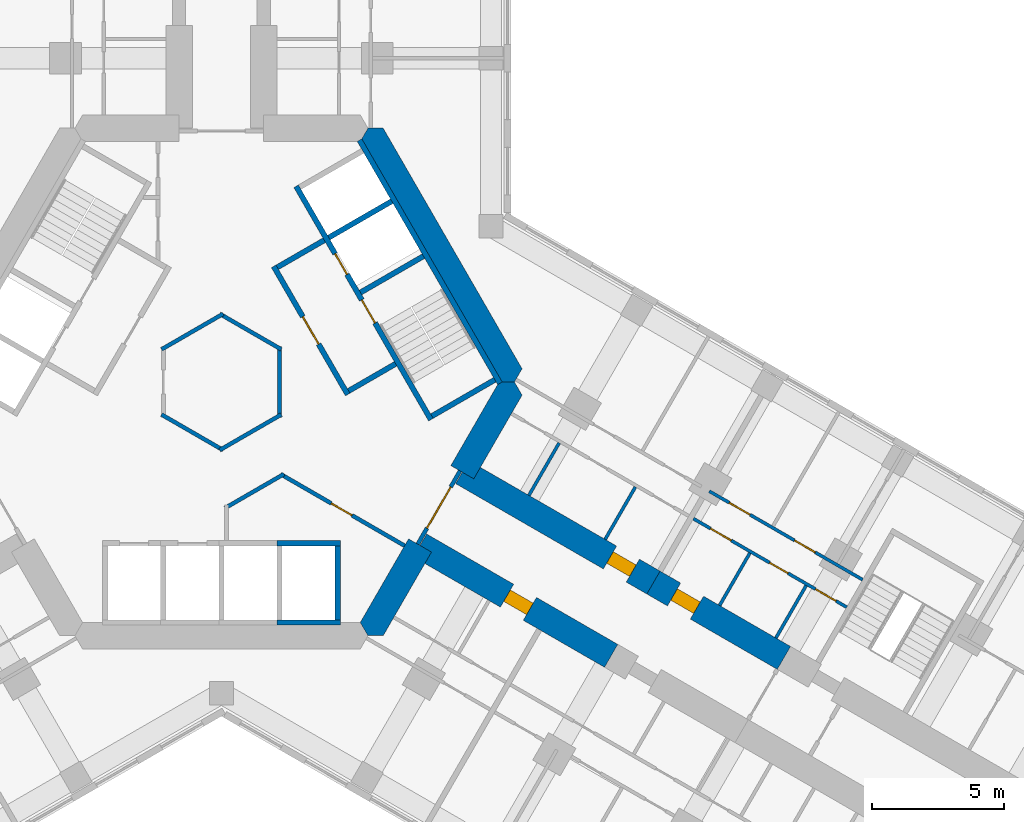
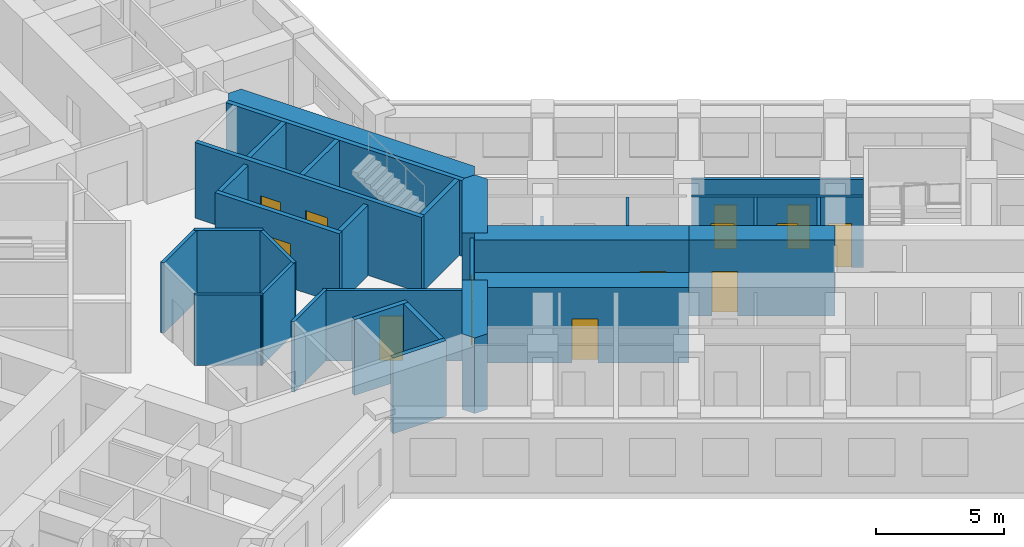
# One storey, part 15 of 21: 31 walls, 13 doors, 13 openings.
"""IFC4 building model written with IfcOpenShell, lengths in metres."""

from ifc_helpers import new_model, si_unit, direction, frame, frame_2d, origin, place, context, subcontext, project, spatial, polyline, rectangle, outline, extrude, material, layer, layer_set, type_object, element, fill, save


model = new_model("IFC4")

# Units and contexts
model_context = context("Model", 3, precision=1e-05, world=origin(), true_north=direction((0.0, 1.0)))
body_context = subcontext(model_context, "Body", "Model", "MODEL_VIEW")
ifc_project = project(units=[si_unit("LENGTHUNIT", "METRE"), si_unit("AREAUNIT", "SQUARE_METRE"), si_unit("VOLUMEUNIT", "CUBIC_METRE"), si_unit("PLANEANGLEUNIT", "RADIAN"), si_unit("MASSUNIT", "GRAM", prefix="KILO")], contexts=[model_context])

# Site, building, storey
site_placement = place(None, origin())
site = spatial("IfcSite", under=ifc_project, at=site_placement, CompositionType="ELEMENT")
building_placement = place(site_placement, origin())
building = spatial("IfcBuilding", under=site, at=building_placement, Name="Kosmar Iwan School Tower", CompositionType="ELEMENT")
storey_placement = place(building_placement, frame((0.0, 0.0, 88.0)))
storey = spatial("IfcBuildingStorey", under=building, at=storey_placement, Name="L21", CompositionType="ELEMENT", Elevation=88.0)

# Walls
ifc_material_1 = material(Name="Gypsum board on steel studs, fire-rated", Category="steel")
ifc_layer_1 = layer(ifc_material_1, 0.14990234375)
ifc_layer_set_1 = layer_set([ifc_layer_1], Name="Core room partition 150")
wall_type_1 = type_object("IfcWallType", Name="Core room partition 150", PredefinedType="PARTITIONING", material=ifc_layer_set_1)
for number, where, z_axis, x_axis, name in (
    (1, (2.264892578125, -1.232666015625, 0.0), (0.0, 0.0, 1.0), (-0.866011792348, -0.500023574959, 0.0), "Core room partition L21-CW4"),
    (2, (0.06494140625, -2.577880859375, 0.0), (0.0, 0.0, 1.0), (-0.866011792348, 0.500023574959, 0.0), "Core room partition L21-CW5"),
    (3, (-2.264892578125, 1.232666015625, 0.0), (0.0, 0.0, 1.0), (0.866011792348, 0.500023574959, 0.0), "Core room partition L21-CW7"),
    (4, (-0.06494140625, 2.577880859375, 0.0), (0.0, 0.0, 1.0), (0.866011792348, -0.500023574959, 0.0), "Core room partition L21-CW8"),
):
    element("IfcWall", number, at=place(storey_placement, frame(where, z_axis=z_axis, x_axis=x_axis)), inside=storey, type_object=wall_type_1, Name=name, PredefinedType="PARTITIONING", context=body_context, shape_type="SweptSolid", body=[
        extrude(rectangle(XDim=2.690185546875, YDim=0.14990234375, at=frame_2d((1.34521484375, 0.0))), origin(), (0.0, 0.0, 1.0), 3.35009765625),
    ])
wall_1_placement = place(storey_placement, frame((2.199951171875, 1.34521484375, 0.0), z_axis=(0.0, 0.0, 1.0), x_axis=(0.0, -1.0, 0.0)))
element("IfcWall", 5, at=wall_1_placement, inside=storey, type_object=wall_type_1, Name="Core room partition L21-CW9", PredefinedType="PARTITIONING", context=body_context, shape_type="SweptSolid", body=[
    extrude(rectangle(XDim=2.6904296875, YDim=0.14990234375, at=frame_2d((1.34521484375, 0.0))), origin(), (0.0, 0.0, 1.0), 3.35009765625),
])
wall_2_placement = place(storey_placement, frame((0.135009765625, -4.771728515625, 0.0), z_axis=(0.0, 0.0, 1.0), x_axis=(0.866046643894, 0.499963209246, 0.0)))
element("IfcWall", 6, at=wall_2_placement, inside=storey, type_object=wall_type_1, Name="Core room partition L21-CW10", PredefinedType="PARTITIONING", context=body_context, shape_type="SweptSolid", body=[
    extrude(rectangle(XDim=2.574951171875, YDim=0.14990234375, at=frame_2d((1.28759765625, 0.0))), origin(), (0.0, 0.0, 1.0), 3.35009765625),
])

# Wall, opening, door
wall_3_placement = place(storey_placement, frame((2.235107421875, -3.484375, 0.0), z_axis=(0.0, 0.0, 1.0), x_axis=(0.866020628587, -0.500008270794, 0.0)))
wall_3 = element("IfcWall", 7, at=wall_3_placement, inside=storey, type_object=wall_type_1, Name="Core room partition L21-CW11", PredefinedType="PARTITIONING", context=body_context, shape_type="SweptSolid", body=[
    extrude(rectangle(XDim=5.42236328125, YDim=0.14990234375, at=frame_2d((2.711181640625, 0.0))), origin(), (0.0, 0.0, 1.0), 3.35009765625),
])
opening_1_placement = place(wall_3_placement, frame((2.218994140625, 0.0, 0.0)))
opening_1 = element("IfcOpeningElement", 8, at=opening_1_placement, cuts=wall_3, Name="Opening D14", PredefinedType="OPENING", context=body_context, shape_type="SweptSolid", body=[
    extrude(rectangle(XDim=0.89990234375, YDim=2.10009765625, at=frame_2d((0.449951171875, 1.050048828125))), frame((0.0, 0.0869140625, 0.0), z_axis=(0.0, -1.0, 0.0), x_axis=(1.0, 0.0, 0.0)), (0.0, 0.0, 1.0), 0.173828125),
])
ifc_material_2 = material(Name="Timber fire door in steel frame", Category="steel")
door_type_1 = type_object("IfcDoorType", Name="Core room door 900x2100", OperationType="SINGLE_SWING_LEFT", PredefinedType="DOOR", material=ifc_material_2)
door_1_placement = place(opening_1_placement, origin())
door_1 = element("IfcDoor", 9, at=door_1_placement, inside=storey, type_object=door_type_1, Name="Residents' laundry room door L21 4", OperationType="SINGLE_SWING_LEFT", OverallHeight=2.10009765625, OverallWidth=0.89990234375, PredefinedType="DOOR", context=body_context, shape_type="SweptSolid", body=[
    extrude(rectangle(XDim=0.89990234375, YDim=2.10009765625, at=frame_2d((0.449951171875, 1.050048828125))), frame((0.0, 0.02490234375, 0.0), z_axis=(0.0, -1.0, 0.0), x_axis=(1.0, 0.0, 0.0)), (0.0, 0.0, 1.0), 0.050048828125),
])
fill(opening_1, door_1)

# Walls
ifc_material_3 = material(Name="Concrete C50/60", Category="concrete")
ifc_layer_2 = layer(ifc_material_3, 1.0)
ifc_layer_set_2 = layer_set([ifc_layer_2], Name="Core wall 1000")
wall_type_2 = type_object("IfcWallType", Name="Core wall 1000", PredefinedType="SHEAR", material=ifc_layer_set_2)
wall_4_placement = place(storey_placement, origin())
element("IfcWall", 10, at=wall_4_placement, inside=storey, type_object=wall_type_2, Name="Core wall F030", PredefinedType="SHEAR", context=body_context, shape_type="SweptSolid", body=[
    extrude(outline(polyline([(10.5078125, 0.0), (11.085205078125, 0.0), (11.373779296875, 0.5), (6.119873046875, 9.60009765625), (5.54248046875, 9.60009765625), (5.25390625, 9.10009765625), (10.5078125, 0.0)])), origin(), (0.0, 0.0, 1.0), 3.60009765625),
])
wall_5_placement = place(storey_placement, origin())
element("IfcWall", 11, at=wall_5_placement, inside=storey, type_object=wall_type_2, Name="Core wall F330a", PredefinedType="SHEAR", context=body_context, shape_type="SweptSolid", body=[
    extrude(outline(polyline([(5.54248046875, -9.60009765625), (6.119873046875, -9.60009765625), (7.94677734375, -6.435546875), (7.080810546875, -5.935546875), (5.25390625, -9.10009765625), (5.54248046875, -9.60009765625)])), origin(), (0.0, 0.0, 1.0), 3.60009765625),
])
wall_6_placement = place(storey_placement, origin())
element("IfcWall", 12, at=wall_6_placement, inside=storey, type_object=wall_type_2, Name="Core wall F330b", PredefinedType="SHEAR", context=body_context, shape_type="SweptSolid", body=[
    extrude(outline(polyline([(9.546875, -3.664306640625), (11.373779296875, -0.5), (11.085205078125, 0.0), (10.5078125, 0.0), (8.680908203125, -3.164306640625), (9.546875, -3.664306640625)])), origin(), (0.0, 0.0, 1.0), 3.60009765625),
])

# Wall, opening, door
ifc_material_4 = material(Name="Concrete C50/60", Category="concrete")
ifc_layer_3 = layer(ifc_material_4, 1.0)
ifc_layer_set_3 = layer_set([ifc_layer_3], Name="Corridor buttress wall 1000")
wall_type_3 = type_object("IfcWallType", Name="Corridor buttress wall 1000", PredefinedType="SHEAR", material=ifc_layer_set_3)
wall_7_placement = place(storey_placement, frame((9.11376953125, -3.414306640625, 0.0), z_axis=(0.0, 0.0, 1.0), x_axis=(0.866026859388, -0.499997478812, 0.0)))
wall_7 = element("IfcWall", 13, at=wall_7_placement, inside=storey, type_object=wall_type_3, Name="Corridor wall CL", PredefinedType="SHEAR", context=body_context, shape_type="SweptSolid", body=[
    extrude(rectangle(XDim=8.35009765625, YDim=1.0, at=frame_2d((4.175048828125, 0.0))), origin(), (0.0, 0.0, 1.0), 3.60009765625),
])
opening_2_placement = place(wall_7_placement, frame((6.449951171875, 0.0, 0.0)))
opening_2 = element("IfcOpeningElement", 14, at=opening_2_placement, cuts=wall_7, Name="Opening D1", PredefinedType="OPENING", context=body_context, shape_type="SweptSolid", body=[
    extrude(rectangle(XDim=1.0, YDim=2.10009765625, at=frame_2d((0.5, 1.050048828125))), frame((0.0, 0.511962890625, 0.0), z_axis=(0.0, -1.0, 0.0), x_axis=(1.0, 0.0, 0.0)), (0.0, 0.0, 1.0), 1.02392578125),
])
ifc_material_5 = material(Name="Timber fire door in steel frame", Category="steel")
door_type_2 = type_object("IfcDoorType", Name="Flat entrance door 1000x2100", OperationType="SINGLE_SWING_LEFT", PredefinedType="DOOR", material=ifc_material_5)
door_2_placement = place(opening_2_placement, origin())
door_2 = element("IfcDoor", 15, at=door_2_placement, inside=storey, type_object=door_type_2, Name="Flat L21-CL1 entrance door", OperationType="SINGLE_SWING_LEFT", OverallHeight=2.10009765625, OverallWidth=1.0, PredefinedType="DOOR", context=body_context, shape_type="SweptSolid", body=[
    extrude(rectangle(XDim=1.0, YDim=2.10009765625, at=frame_2d((0.5, 1.050048828125))), frame((0.0, 0.25, 0.0), z_axis=(0.0, -1.0, 0.0), x_axis=(1.0, 0.0, 0.0)), (0.0, 0.0, 1.0), 0.5),
])
fill(opening_2, door_2)

wall_8_placement = place(storey_placement, frame((16.34521484375, -7.58935546875, 0.0), z_axis=(0.0, 0.0, 1.0), x_axis=(0.866015111908, -0.50001782563, 0.0)))
wall_8 = element("IfcWall", 16, at=wall_8_placement, inside=storey, type_object=wall_type_3, Name="Corridor wall CL bay 2", PredefinedType="SHEAR", context=body_context, shape_type="SweptSolid", body=[
    extrude(rectangle(XDim=5.699951171875, YDim=1.0, at=frame_2d((2.85009765625, 0.0))), origin(), (0.0, 0.0, 1.0), 3.60009765625),
])
opening_3_placement = place(wall_8_placement, frame((0.89990234375, 0.0, 0.0)))
opening_3 = element("IfcOpeningElement", 17, at=opening_3_placement, cuts=wall_8, Name="Opening D1", PredefinedType="OPENING", context=body_context, shape_type="SweptSolid", body=[
    extrude(rectangle(XDim=1.0, YDim=2.10009765625, at=frame_2d((0.5, 1.050048828125))), frame((0.0, 0.511962890625, 0.0), z_axis=(0.0, -1.0, 0.0), x_axis=(1.0, 0.0, 0.0)), (0.0, 0.0, 1.0), 1.02392578125),
])
door_3_placement = place(opening_3_placement, origin())
door_3 = element("IfcDoor", 18, at=door_3_placement, inside=storey, type_object=door_type_2, Name="Flat L21-CL2 entrance door", OperationType="SINGLE_SWING_RIGHT", OverallHeight=2.10009765625, OverallWidth=1.0, PredefinedType="DOOR", context=body_context, shape_type="SweptSolid", body=[
    extrude(rectangle(XDim=1.0, YDim=2.10009765625, at=frame_2d((0.5, 1.050048828125))), frame((0.0, 0.25, 0.0), z_axis=(0.0, -1.0, 0.0), x_axis=(1.0, 0.0, 0.0)), (0.0, 0.0, 1.0), 0.5),
])
fill(opening_3, door_3)

wall_9_placement = place(storey_placement, frame((7.513916015625, -6.185546875, 0.0), z_axis=(0.0, 0.0, 1.0), x_axis=(0.866019549707, -0.500010139422, 0.0)))
wall_9 = element("IfcWall", 19, at=wall_9_placement, inside=storey, type_object=wall_type_3, Name="Corridor wall CR", PredefinedType="SHEAR", context=body_context, shape_type="SweptSolid", body=[
    extrude(rectangle(XDim=8.349853515625, YDim=1.0, at=frame_2d((4.1748046875, 0.0))), origin(), (0.0, 0.0, 1.0), 3.60009765625),
])
opening_4_placement = place(wall_9_placement, frame((3.800048828125, 0.0, 0.0)))
opening_4 = element("IfcOpeningElement", 20, at=opening_4_placement, cuts=wall_9, Name="Opening D1", PredefinedType="OPENING", context=body_context, shape_type="SweptSolid", body=[
    extrude(rectangle(XDim=1.0, YDim=2.10009765625, at=frame_2d((0.5, 1.050048828125))), frame((0.0, 0.511962890625, 0.0), z_axis=(0.0, -1.0, 0.0), x_axis=(1.0, 0.0, 0.0)), (0.0, 0.0, 1.0), 1.02392578125),
])
door_4_placement = place(opening_4_placement, origin())
door_4 = element("IfcDoor", 21, at=door_4_placement, inside=storey, type_object=door_type_2, Name="Flat L21-CR1 entrance door", OperationType="SINGLE_SWING_RIGHT", OverallHeight=2.10009765625, OverallWidth=1.0, PredefinedType="DOOR", context=body_context, shape_type="SweptSolid", body=[
    extrude(rectangle(XDim=1.0, YDim=2.10009765625, at=frame_2d((0.5, 1.050048828125))), frame((0.0, 0.25, 0.0), z_axis=(0.0, -1.0, 0.0), x_axis=(1.0, 0.0, 0.0)), (0.0, 0.0, 1.0), 0.5),
])
fill(opening_4, door_4)

ifc_material_6 = material(Name="Steel framed glazed screen", Category="steel")
ifc_layer_4 = layer(ifc_material_6, 0.14990234375)
ifc_layer_set_4 = layer_set([ifc_layer_4], Name="Corridor screen wall 150")
wall_type_4 = type_object("IfcWallType", Name="Corridor screen wall 150", PredefinedType="PARTITIONING", material=ifc_layer_set_4)
wall_10_placement = place(storey_placement, frame((7.42724609375, -6.1357421875, 0.0), z_axis=(0.0, 0.0, 1.0), x_axis=(0.499995408039, 0.866028054938, 0.0)))
wall_10 = element("IfcWall", 22, at=wall_10_placement, inside=storey, type_object=wall_type_4, Name="Corridor screen C L21", PredefinedType="PARTITIONING", context=body_context, shape_type="SweptSolid", body=[
    extrude(rectangle(XDim=3.2001953125, YDim=0.14990234375, at=frame_2d((1.60009765625, 0.0))), origin(), (0.0, 0.0, 1.0), 3.35009765625),
])
opening_5_placement = place(wall_10_placement, frame((0.699951171875, 0.0, 0.0)))
opening_5 = element("IfcOpeningElement", 23, at=opening_5_placement, cuts=wall_10, Name="Opening D9", PredefinedType="OPENING", context=body_context, shape_type="SweptSolid", body=[
    extrude(rectangle(XDim=1.800048828125, YDim=2.10009765625, at=frame_2d((0.89990234375, 1.050048828125))), frame((0.0, 0.0869140625, 0.0), z_axis=(0.0, -1.0, 0.0), x_axis=(1.0, 0.0, 0.0)), (0.0, 0.0, 1.0), 0.173828125),
])
ifc_material_7 = material(Name="Steel framed glazed smoke door", Category="steel")
door_type_3 = type_object("IfcDoorType", Name="Corridor smoke door pair 1800x2100", OperationType="DOUBLE_DOOR_DOUBLE_SWING", PredefinedType="DOOR", material=ifc_material_7)
door_5_placement = place(opening_5_placement, origin())
door_5 = element("IfcDoor", 24, at=door_5_placement, inside=storey, type_object=door_type_3, Name="Corridor doors C L21", OperationType="DOUBLE_DOOR_DOUBLE_SWING", OverallHeight=2.10009765625, OverallWidth=1.800048828125, PredefinedType="DOOR", context=body_context, shape_type="SweptSolid", body=[
    extrude(rectangle(XDim=1.800048828125, YDim=2.10009765625, at=frame_2d((0.89990234375, 1.050048828125))), frame((0.0, 0.02490234375, 0.0), z_axis=(0.0, -1.0, 0.0), x_axis=(1.0, 0.0, 0.0)), (0.0, 0.0, 1.0), 0.050048828125),
])
fill(opening_5, door_5)

# Walls
ifc_material_8 = material(Name="Gypsum board on steel studs", Category="steel")
ifc_layer_5 = layer(ifc_material_8, 0.1201171875)
ifc_layer_set_5 = layer_set([ifc_layer_5], Name="Dwelling partition 120")
wall_type_5 = type_object("IfcWallType", Name="Dwelling partition 120", PredefinedType="PARTITIONING", material=ifc_layer_set_5)
wall_11_placement = place(storey_placement, frame((11.6328125, -4.291259765625, 0.0), z_axis=(0.0, 0.0, 1.0), x_axis=(0.500014693593, 0.866016920268, 0.0)))
element("IfcWall", 25, at=wall_11_placement, inside=storey, type_object=wall_type_5, Name="Partition L21-CL1-Y1", PredefinedType="PARTITIONING", context=body_context, shape_type="SweptSolid", body=[
    extrude(rectangle(XDim=2.2900390625, YDim=0.1201171875, at=frame_2d((1.14501953125, 0.0))), origin(), (0.0, 0.0, 1.0), 2.449951171875),
])
wall_12_placement = place(storey_placement, frame((14.5166015625, -5.956298828125, 0.0), z_axis=(0.0, 0.0, 1.0), x_axis=(0.500014693593, 0.866016920268, 0.0)))
element("IfcWall", 26, at=wall_12_placement, inside=storey, type_object=wall_type_5, Name="Partition L21-CL1-Y2", PredefinedType="PARTITIONING", context=body_context, shape_type="SweptSolid", body=[
    extrude(rectangle(XDim=2.2900390625, YDim=0.1201171875, at=frame_2d((1.14501953125, 0.0))), origin(), (0.0, 0.0, 1.0), 3.35009765625),
])

# Wall, openings, doors
wall_13_placement = place(storey_placement, frame((17.856689453125, -5.171142578125, 0.0), z_axis=(0.0, 0.0, 1.0), x_axis=(0.866023571113, -0.500003174267, 0.0)))
wall_13 = element("IfcWall", 27, at=wall_13_placement, inside=storey, type_object=wall_type_5, Name="Partition L21-CL2-W1", PredefinedType="PARTITIONING", context=body_context, shape_type="SweptSolid", body=[
    extrude(rectangle(XDim=6.7001953125, YDim=0.1201171875, at=frame_2d((3.35009765625, 0.0))), origin(), (0.0, 0.0, 1.0), 3.35009765625),
])
opening_6_placement = place(wall_13_placement, frame((0.75, 0.0, 0.0)))
opening_6 = element("IfcOpeningElement", 28, at=opening_6_placement, cuts=wall_13, Name="Opening D2", PredefinedType="OPENING", context=body_context, shape_type="SweptSolid", body=[
    extrude(rectangle(XDim=0.89990234375, YDim=2.10009765625, at=frame_2d((0.449951171875, 1.050048828125))), frame((0.0, 0.072021484375, 0.0), z_axis=(0.0, -1.0, 0.0), x_axis=(1.0, 0.0, 0.0)), (0.0, 0.0, 1.0), 0.14404296875),
])
opening_7_placement = place(wall_13_placement, frame((3.330078125, 0.0, 0.0)))
opening_7 = element("IfcOpeningElement", 29, at=opening_7_placement, cuts=wall_13, Name="Opening D3", PredefinedType="OPENING", context=body_context, shape_type="SweptSolid", body=[
    extrude(rectangle(XDim=0.800048828125, YDim=2.10009765625, at=frame_2d((0.39990234375, 1.050048828125))), frame((0.0, 0.072021484375, 0.0), z_axis=(0.0, -1.0, 0.0), x_axis=(1.0, 0.0, 0.0)), (0.0, 0.0, 1.0), 0.14404296875),
])
opening_8_placement = place(wall_13_placement, frame((5.330078125, 0.0, 0.0)))
opening_8 = element("IfcOpeningElement", 30, at=opening_8_placement, cuts=wall_13, Name="Opening D2", PredefinedType="OPENING", context=body_context, shape_type="SweptSolid", body=[
    extrude(rectangle(XDim=0.89990234375, YDim=2.10009765625, at=frame_2d((0.449951171875, 1.050048828125))), frame((0.0, 0.072021484375, 0.0), z_axis=(0.0, -1.0, 0.0), x_axis=(1.0, 0.0, 0.0)), (0.0, 0.0, 1.0), 0.14404296875),
])
ifc_material_9 = material(Name="Timber door in timber frame", Category="wood")
door_type_4 = type_object("IfcDoorType", Name="Internal door 900x2100", OperationType="SINGLE_SWING_LEFT", PredefinedType="DOOR", material=ifc_material_9)
door_6_placement = place(opening_6_placement, origin())
door_6 = element("IfcDoor", 31, at=door_6_placement, inside=storey, type_object=door_type_4, Name="Entrance hall door L21-CL2-S1", OperationType="SINGLE_SWING_LEFT", OverallHeight=2.10009765625, OverallWidth=0.89990234375, PredefinedType="DOOR", context=body_context, shape_type="SweptSolid", body=[
    extrude(rectangle(XDim=0.89990234375, YDim=2.10009765625, at=frame_2d((0.449951171875, 1.050048828125))), frame((0.0, 0.02490234375, 0.0), z_axis=(0.0, -1.0, 0.0), x_axis=(1.0, 0.0, 0.0)), (0.0, 0.0, 1.0), 0.050048828125),
])
fill(opening_6, door_6)
door_7_placement = place(opening_8_placement, frame((0.89990234375, 0.0, 0.0), z_axis=(0.0, 0.0, 1.0), x_axis=(-1.0, 0.0, 0.0)))
door_7 = element("IfcDoor", 32, at=door_7_placement, inside=storey, type_object=door_type_4, Name="Pantry door L21-CL2-S3", OperationType="SINGLE_SWING_LEFT", OverallHeight=2.10009765625, OverallWidth=0.89990234375, PredefinedType="DOOR", context=body_context, shape_type="SweptSolid", body=[
    extrude(rectangle(XDim=0.89990234375, YDim=2.10009765625, at=frame_2d((0.449951171875, 1.050048828125))), frame((0.0, 0.02490234375, 0.0), z_axis=(0.0, -1.0, 0.0), x_axis=(1.0, 0.0, 0.0)), (0.0, 0.0, 1.0), 0.050048828125),
])
fill(opening_8, door_7)
ifc_material_10 = material(Name="Timber door in timber frame", Category="wood")
door_type_5 = type_object("IfcDoorType", Name="Sanitary room door 800x2100", OperationType="SINGLE_SWING_LEFT", PredefinedType="DOOR", material=ifc_material_10)
door_8_placement = place(opening_7_placement, origin())
door_8 = element("IfcDoor", 33, at=door_8_placement, inside=storey, type_object=door_type_5, Name="Bathroom door L21-CL2-S2", OperationType="SINGLE_SWING_RIGHT", OverallHeight=2.10009765625, OverallWidth=0.800048828125, PredefinedType="DOOR", context=body_context, shape_type="SweptSolid", body=[
    extrude(rectangle(XDim=0.800048828125, YDim=2.10009765625, at=frame_2d((0.39990234375, 1.050048828125))), frame((0.0, 0.02490234375, 0.0), z_axis=(0.0, -1.0, 0.0), x_axis=(1.0, 0.0, 0.0)), (0.0, 0.0, 1.0), 0.050048828125),
])
fill(opening_7, door_8)

wall_14_placement = place(storey_placement, frame((18.456787109375, -4.1318359375, 0.0), z_axis=(0.0, 0.0, 1.0), x_axis=(0.866014461049, -0.500018952895, 0.0)))
wall_14 = element("IfcWall", 34, at=wall_14_placement, inside=storey, type_object=wall_type_5, Name="Partition L21-CL2-W2", PredefinedType="PARTITIONING", context=body_context, shape_type="SweptSolid", body=[
    extrude(rectangle(XDim=6.699951171875, YDim=0.1201171875, at=frame_2d((3.35009765625, 0.0))), origin(), (0.0, 0.0, 1.0), 3.35009765625),
])
opening_9_placement = place(wall_14_placement, frame((0.875, 0.0, 0.0)))
opening_9 = element("IfcOpeningElement", 35, at=opening_9_placement, cuts=wall_14, Name="Opening D2", PredefinedType="OPENING", context=body_context, shape_type="SweptSolid", body=[
    extrude(rectangle(XDim=0.89990234375, YDim=2.10009765625, at=frame_2d((0.449951171875, 1.050048828125))), frame((0.0, 0.072021484375, 0.0), z_axis=(0.0, -1.0, 0.0), x_axis=(1.0, 0.0, 0.0)), (0.0, 0.0, 1.0), 0.14404296875),
])
opening_10_placement = place(wall_14_placement, frame((3.72509765625, 0.0, 0.0)))
opening_10 = element("IfcOpeningElement", 36, at=opening_10_placement, cuts=wall_14, Name="Opening D2", PredefinedType="OPENING", context=body_context, shape_type="SweptSolid", body=[
    extrude(rectangle(XDim=0.89990234375, YDim=2.10009765625, at=frame_2d((0.449951171875, 1.050048828125))), frame((0.0, 0.072021484375, 0.0), z_axis=(0.0, -1.0, 0.0), x_axis=(1.0, 0.0, 0.0)), (0.0, 0.0, 1.0), 0.14404296875),
])
door_9_placement = place(opening_9_placement, origin())
door_9 = element("IfcDoor", 37, at=door_9_placement, inside=storey, type_object=door_type_4, Name="Living room and kitchen door L21-CL2-F1", OperationType="SINGLE_SWING_LEFT", OverallHeight=2.10009765625, OverallWidth=0.89990234375, PredefinedType="DOOR", context=body_context, shape_type="SweptSolid", body=[
    extrude(rectangle(XDim=0.89990234375, YDim=2.10009765625, at=frame_2d((0.449951171875, 1.050048828125))), frame((0.0, 0.02490234375, 0.0), z_axis=(0.0, -1.0, 0.0), x_axis=(1.0, 0.0, 0.0)), (0.0, 0.0, 1.0), 0.050048828125),
])
fill(opening_9, door_9)
door_10_placement = place(opening_10_placement, origin())
door_10 = element("IfcDoor", 38, at=door_10_placement, inside=storey, type_object=door_type_4, Name="Bedroom 1 door L21-CL2-F2", OperationType="SINGLE_SWING_RIGHT", OverallHeight=2.10009765625, OverallWidth=0.89990234375, PredefinedType="DOOR", context=body_context, shape_type="SweptSolid", body=[
    extrude(rectangle(XDim=0.89990234375, YDim=2.10009765625, at=frame_2d((0.449951171875, 1.050048828125))), frame((0.0, 0.02490234375, 0.0), z_axis=(0.0, -1.0, 0.0), x_axis=(1.0, 0.0, 0.0)), (0.0, 0.0, 1.0), 0.050048828125),
])
fill(opening_10, door_10)

# Walls
for number, where, z_axis, x_axis, name in (
    (39, (18.846923828125, -8.456298828125, 0.0), (0.0, 0.0, 1.0), (0.500014693593, 0.866016920268, 0.0), "Partition L21-CL2-Y1"),
    (40, (20.977294921875, -9.686279296875, 0.0), (0.0, 0.0, 1.0), (0.500014693593, 0.866016920268, 0.0), "Partition L21-CL2-Y2"),
):
    element("IfcWall", number, at=place(storey_placement, frame(where, z_axis=z_axis, x_axis=x_axis)), inside=storey, type_object=wall_type_5, Name=name, PredefinedType="PARTITIONING", context=body_context, shape_type="SweptSolid", body=[
        extrude(rectangle(XDim=2.2900390625, YDim=0.1201171875, at=frame_2d((1.14501953125, 0.0))), origin(), (0.0, 0.0, 1.0), 3.35009765625),
    ])

# Wall, opening, door
ifc_material_11 = material(Name="Concrete block masonry", Category="masonry")
ifc_layer_6 = layer(ifc_material_11, 0.199951171875)
ifc_layer_set_6 = layer_set([ifc_layer_6], Name="Fire lobby wall 200")
wall_type_6 = type_object("IfcWallType", Name="Fire lobby wall 200", PredefinedType="PARTITIONING", material=ifc_layer_set_6)
wall_15_placement = place(storey_placement, frame((4.777587890625, -0.474853515625, 0.0), z_axis=(0.0, 0.0, 1.0), x_axis=(-0.500016814911, 0.866015695474, 0.0)))
wall_15 = element("IfcWall", 41, at=wall_15_placement, inside=storey, type_object=wall_type_6, Name="Firefighting lobby wall ST1", PredefinedType="PARTITIONING", context=body_context, shape_type="SweptSolid", body=[
    extrude(rectangle(XDim=5.599853515625, YDim=0.199951171875, at=frame_2d((2.7998046875, 0.0))), origin(), (0.0, 0.0, 1.0), 3.35009765625),
])
opening_11_placement = place(wall_15_placement, frame((2.199951171875, 0.0, 0.0)))
opening_11 = element("IfcOpeningElement", 42, at=opening_11_placement, cuts=wall_15, Name="Opening D7", PredefinedType="OPENING", context=body_context, shape_type="SweptSolid", body=[
    extrude(rectangle(XDim=1.199951171875, YDim=2.10009765625, at=frame_2d((0.60009765625, 1.050048828125))), frame((0.0, 0.112060546875, 0.0), z_axis=(0.0, -1.0, 0.0), x_axis=(1.0, 0.0, 0.0)), (0.0, 0.0, 1.0), 0.223876953125),
])
ifc_material_12 = material(Name="Steel fire door", Category="steel")
door_type_6 = type_object("IfcDoorType", Name="Fire lobby door 1200x2100", OperationType="SINGLE_SWING_LEFT", PredefinedType="DOOR", material=ifc_material_12)
door_11_placement = place(opening_11_placement, origin())
door_11 = element("IfcDoor", 43, at=door_11_placement, inside=storey, type_object=door_type_6, Name="Firefighting lobby door ST1 L21", OperationType="SINGLE_SWING_RIGHT", OverallHeight=2.10009765625, OverallWidth=1.199951171875, PredefinedType="DOOR", context=body_context, shape_type="SweptSolid", body=[
    extrude(rectangle(XDim=1.199951171875, YDim=2.10009765625, at=frame_2d((0.60009765625, 1.050048828125))), frame((0.0, 0.02490234375, 0.0), z_axis=(0.0, -1.0, 0.0), x_axis=(1.0, 0.0, 0.0)), (0.0, 0.0, 1.0), 0.050048828125),
])
fill(opening_11, door_11)

# Walls
wall_16_placement = place(storey_placement, frame((4.814208984375, -0.33837890625, 0.0), z_axis=(0.0, 0.0, 1.0), x_axis=(0.865969381856, 0.500097020274, 0.0)))
element("IfcWall", 44, at=wall_16_placement, inside=storey, type_object=wall_type_6, Name="Firefighting lobby wall ST1", PredefinedType="PARTITIONING", context=body_context, shape_type="SweptSolid", body=[
    extrude(rectangle(XDim=2.0498046875, YDim=0.199951171875, at=frame_2d((1.02490234375, 0.0))), origin(), (0.0, 0.0, 1.0), 3.35009765625),
])
wall_17_placement = place(storey_placement, frame((2.114013671875, 4.33837890625, 0.0), z_axis=(0.0, 0.0, 1.0), x_axis=(0.866050731258, 0.499956128963, 0.0)))
element("IfcWall", 45, at=wall_17_placement, inside=storey, type_object=wall_type_6, Name="Firefighting lobby wall ST1", PredefinedType="PARTITIONING", context=body_context, shape_type="SweptSolid", body=[
    extrude(rectangle(XDim=2.050048828125, YDim=0.199951171875, at=frame_2d((1.02490234375, 0.0))), origin(), (0.0, 0.0, 1.0), 3.35009765625),
])

# Wall, openings, doors
ifc_material_13 = material(Name="Concrete C50/60", Category="concrete")
ifc_layer_7 = layer(ifc_material_13, 0.199951171875)
ifc_layer_set_7 = layer_set([ifc_layer_7], Name="Lift shaft wall 200")
wall_type_7 = type_object("IfcWallType", Name="Lift shaft wall 200", PredefinedType="SHEAR", material=ifc_layer_set_7)
wall_18_placement = place(storey_placement, frame((7.926025390625, -1.42822265625, 0.0), z_axis=(0.0, 0.0, 1.0), x_axis=(-0.499998023675, 0.866026544813, 0.0)))
wall_18 = element("IfcWall", 46, at=wall_18_placement, inside=storey, type_object=wall_type_7, Name="Lift and stair front wall AC", PredefinedType="SHEAR", context=body_context, shape_type="SweptSolid", body=[
    extrude(rectangle(XDim=10.19970703125, YDim=0.199951171875, at=frame_2d((5.099853515625, 0.0))), origin(), (0.0, 0.0, 1.0), 3.60009765625),
])
opening_12_placement = place(wall_18_placement, frame((6.35009765625, 0.0, 0.0)))
opening_12 = element("IfcOpeningElement", 47, at=opening_12_placement, cuts=wall_18, Name="Opening LD2", PredefinedType="OPENING", context=body_context, shape_type="SweptSolid", body=[
    extrude(rectangle(XDim=0.89990234375, YDim=2.10009765625, at=frame_2d((0.449951171875, 1.050048828125))), frame((0.0, 0.112060546875, 0.0), z_axis=(0.0, -1.0, 0.0), x_axis=(1.0, 0.0, 0.0)), (0.0, 0.0, 1.0), 0.223876953125),
])
opening_13_placement = place(wall_18_placement, frame((4.22998046875, 0.0, 0.0)))
opening_13 = element("IfcOpeningElement", 48, at=opening_13_placement, cuts=wall_18, Name="Opening D6", PredefinedType="OPENING", context=body_context, shape_type="SweptSolid", body=[
    extrude(rectangle(XDim=1.0, YDim=2.10009765625, at=frame_2d((0.5, 1.050048828125))), frame((0.0, 0.112060546875, 0.0), z_axis=(0.0, -1.0, 0.0), x_axis=(1.0, 0.0, 0.0)), (0.0, 0.0, 1.0), 0.223876953125),
])
ifc_material_14 = material(Name="Stainless steel sliding lift door", Category="steel")
door_type_7 = type_object("IfcDoorType", Name="Firefighting lift landing door 900x2100", OperationType="SLIDING_TO_LEFT", PredefinedType="DOOR", material=ifc_material_14)
door_12_placement = place(opening_12_placement, origin())
door_12 = element("IfcDoor", 49, at=door_12_placement, inside=storey, type_object=door_type_7, Name="Lift FF1 landing door L21", OperationType="SLIDING_TO_LEFT", OverallHeight=2.10009765625, OverallWidth=0.89990234375, PredefinedType="DOOR", context=body_context, shape_type="SweptSolid", body=[
    extrude(rectangle(XDim=0.89990234375, YDim=2.10009765625, at=frame_2d((0.449951171875, 1.050048828125))), frame((0.0, 0.02490234375, 0.0), z_axis=(0.0, -1.0, 0.0), x_axis=(1.0, 0.0, 0.0)), (0.0, 0.0, 1.0), 0.050048828125),
])
fill(opening_12, door_12)
ifc_material_15 = material(Name="Steel fire door", Category="steel")
door_type_8 = type_object("IfcDoorType", Name="Stair door 1000x2100", OperationType="SINGLE_SWING_LEFT", PredefinedType="DOOR", material=ifc_material_15)
door_13_placement = place(opening_13_placement, origin())
door_13 = element("IfcDoor", 50, at=door_13_placement, inside=storey, type_object=door_type_8, Name="Stair ST1 door L21", OperationType="SINGLE_SWING_LEFT", OverallHeight=2.10009765625, OverallWidth=1.0, PredefinedType="DOOR", context=body_context, shape_type="SweptSolid", body=[
    extrude(rectangle(XDim=1.0, YDim=2.10009765625, at=frame_2d((0.5, 1.050048828125))), frame((0.0, 0.02490234375, 0.0), z_axis=(0.0, -1.0, 0.0), x_axis=(1.0, 0.0, 0.0)), (0.0, 0.0, 1.0), 0.050048828125),
])
fill(opening_13, door_13)

# Walls
wall_19_placement = place(storey_placement, frame((10.53662109375, -0.050048828125, 0.0), z_axis=(0.0, 0.0, 1.0), x_axis=(-0.499994998079, 0.866028291626, 0.0)))
element("IfcWall", 51, at=wall_19_placement, inside=storey, type_object=wall_type_7, Name="Lift and stair back wall AC", PredefinedType="SHEAR", context=body_context, shape_type="SweptSolid", body=[
    extrude(rectangle(XDim=10.623046875, YDim=0.199951171875, at=frame_2d((5.3115234375, 0.0))), origin(), (0.0, 0.0, 1.0), 3.60009765625),
])
wall_20_placement = place(storey_placement, frame((4.062744140625, 5.46337890625, 0.0), z_axis=(0.0, 0.0, 1.0), x_axis=(0.866027397988, 0.499996545922, 0.0)))
element("IfcWall", 52, at=wall_20_placement, inside=storey, type_object=wall_type_7, Name="Lift shaft wall AC 1", PredefinedType="SHEAR", context=body_context, shape_type="SweptSolid", body=[
    extrude(rectangle(XDim=2.75, YDim=0.199951171875, at=frame_2d((1.375, 0.0))), origin(), (0.0, 0.0, 1.0), 3.60009765625),
])
for number, where, z_axis, x_axis, name in (
    (53, (2.10009765625, -6.10009765625, 0.0), (0.0, 0.0, 1.0), (1.0, 0.0, 0.0), "Lift and stair front wall BC"),
    (54, (2.10009765625, -9.10009765625, 0.0), (0.0, 0.0, 1.0), (1.0, 0.0, 0.0), "Lift and stair back wall BC"),
):
    element("IfcWall", number, at=place(storey_placement, frame(where, z_axis=z_axis, x_axis=x_axis)), inside=storey, type_object=wall_type_7, Name=name, PredefinedType="SHEAR", context=body_context, shape_type="SweptSolid", body=[
        extrude(rectangle(XDim=2.39990234375, YDim=0.199951171875, at=frame_2d((1.199951171875, 0.0))), origin(), (0.0, 0.0, 1.0), 3.60009765625),
    ])
wall_21_placement = place(storey_placement, frame((4.39990234375, -6.199951171875, 0.0), z_axis=(0.0, 0.0, 1.0), x_axis=(0.0, -1.0, 0.0)))
element("IfcWall", 55, at=wall_21_placement, inside=storey, type_object=wall_type_7, Name="Lift shaft wall BC 4", PredefinedType="SHEAR", context=body_context, shape_type="SweptSolid", body=[
    extrude(rectangle(XDim=2.800048828125, YDim=0.199951171875, at=frame_2d((1.39990234375, 0.0))), origin(), (0.0, 0.0, 1.0), 3.60009765625),
])
ifc_material_16 = material(Name="Concrete C50/60", Category="concrete")
ifc_layer_8 = layer(ifc_material_16, 0.199951171875)
ifc_layer_set_8 = layer_set([ifc_layer_8], Name="Stair enclosure wall 200")
wall_type_8 = type_object("IfcWallType", Name="Stair enclosure wall 200", PredefinedType="SHEAR", material=ifc_layer_set_8)
for number, where, z_axis, x_axis, name in (
    (56, (7.962646484375, -1.291748046875, 0.0), (0.0, 0.0, 1.0), (0.866027397988, 0.499996545922, 0.0), "Stair ST1 wall"),
    (57, (5.2626953125, 3.384765625, 0.0), (0.0, 0.0, 1.0), (0.866027397988, 0.499996545922, 0.0), "Stair ST1 wall"),
):
    element("IfcWall", number, at=place(storey_placement, frame(where, z_axis=z_axis, x_axis=x_axis)), inside=storey, type_object=wall_type_8, Name=name, PredefinedType="SHEAR", context=body_context, shape_type="SweptSolid", body=[
        extrude(rectangle(XDim=2.75, YDim=0.199951171875, at=frame_2d((1.375, 0.0))), origin(), (0.0, 0.0, 1.0), 3.60009765625),
    ])

save(model, "model.ifc")
